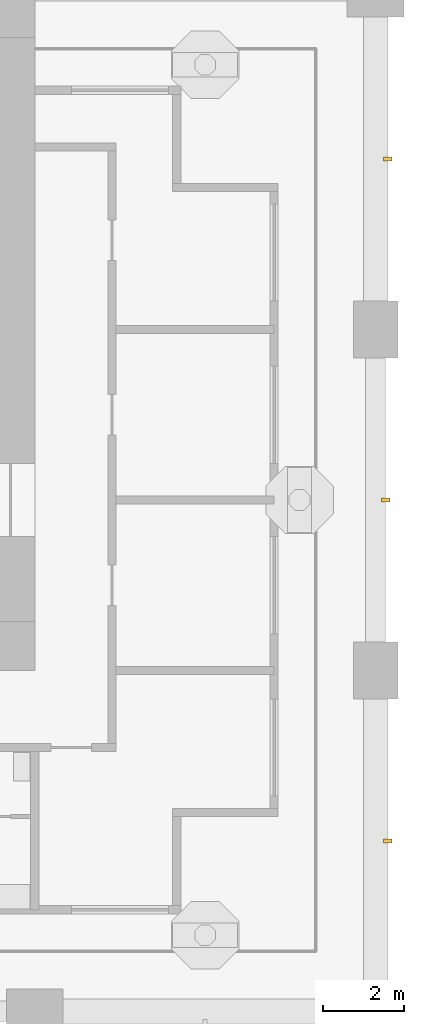
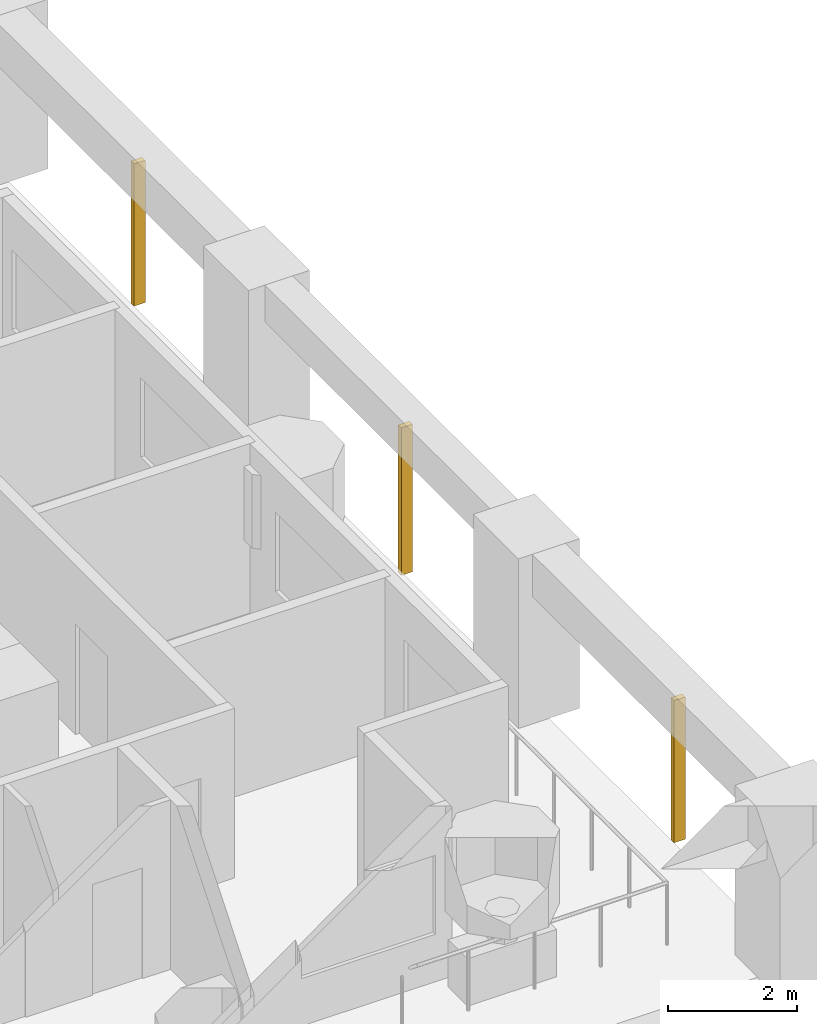
# One storey, part 17 of 20: 3 shading devices.
"""IFC4 building model written with IfcOpenShell, lengths in metres."""

import ifcopenshell
import ifcopenshell.guid

model = None  # the IFC model being written
_history = None  # IfcOwnerHistory: only IFC2X3 demands one
_inside = {}  # id of a spatial element -> (the spatial element, [elements in it])
_under = {}  # id of a project, library or spatial element -> (it, [spatial elements below it])
_declared = {}  # id of a project -> (the project, [libraries it declares])
_typed = {}  # id of a type object -> (the type object, [elements of that type])
_made_of = {}  # id of a material, layer set ... -> (it, [elements and type objects made of it])


def new_model(schema):
    """Start an empty IFC model of exactly this schema.

    Asked for "IFC4X3", IfcOpenShell would pick the latest addendum, in which some entities
    have other attributes; the version numbers below select the first issue.
    IFC2X3 requires an IfcOwnerHistory on every rooted entity: one is made here for all.
    """
    global model, _history
    if schema == "IFC4X3":
        model = ifcopenshell.file(schema_version=(4, 3, 0, 0))
    else:
        model = ifcopenshell.file(schema=schema)
    _inside.clear()
    _under.clear()
    _declared.clear()
    _typed.clear()
    _made_of.clear()
    _history = None
    if model.schema == "IFC2X3":
        org = make("IfcOrganization", Name="unknown")
        user = make(
            "IfcPersonAndOrganization",
            ThePerson=make("IfcPerson", FamilyName="unknown"),
            TheOrganization=org,
        )
        app = make(
            "IfcApplication",
            ApplicationDeveloper=org,
            Version="unknown",
            ApplicationFullName="unknown",
            ApplicationIdentifier="unknown",
        )
        _history = make(
            "IfcOwnerHistory",
            OwningUser=user,
            OwningApplication=app,
            ChangeAction="ADDED",
            CreationDate=0,
        )
    return model


def make(cls, **values):
    """One entity of the class cls with the attributes given. An attribute that is None is left unset."""
    return model.create_entity(
        cls, **{name: value for name, value in values.items() if value is not None}
    )


def rooted(cls, **values):
    """An entity with a GlobalId (a new one), such as an element, a storey or a relation."""
    return make(cls, GlobalId=ifcopenshell.guid.new(), OwnerHistory=_history, **values)


def si_unit(unit_type, name, prefix=None):
    """IfcSIUnit, for example si_unit("LENGTHUNIT", "METRE", prefix="MILLI")."""
    return make("IfcSIUnit", UnitType=unit_type, Prefix=prefix, Name=name)


def assignment(units):
    """IfcUnitAssignment: the units of a project."""
    return None if units is None else make("IfcUnitAssignment", Units=units)


def point(xyz):
    """IfcCartesianPoint."""
    return None if xyz is None else make("IfcCartesianPoint", Coordinates=xyz)


def direction(xyz):
    """IfcDirection."""
    return None if xyz is None else make("IfcDirection", DirectionRatios=xyz)


def frame(location, z_axis=None, x_axis=None):
    """IfcAxis2Placement3D, a coordinate frame: its origin and axes. An axis left out is left unset."""
    return make(
        "IfcAxis2Placement3D",
        Location=point(location),
        Axis=direction(z_axis),
        RefDirection=direction(x_axis),
    )


def frame_2d(location, x_axis=None):
    """IfcAxis2Placement2D, a coordinate frame in the plane: its origin and x axis."""
    return make(
        "IfcAxis2Placement2D", Location=point(location), RefDirection=direction(x_axis)
    )


def origin():
    """The frame at (0, 0, 0) with its axes left unset."""
    return frame((0.0, 0.0, 0.0))


def origin_2d():
    """The frame at (0, 0) in the plane with its x axis left unset."""
    return frame_2d((0.0, 0.0))


def place(relative_to, where):
    """IfcLocalPlacement: puts the frame where relative to a parent placement (None: the world)."""
    return make(
        "IfcLocalPlacement", PlacementRelTo=relative_to, RelativePlacement=where
    )


def context(
    kind, dimensions, precision=None, world=None, true_north=None, identifier=None
):
    """IfcGeometricRepresentationContext, for example the 3D "Model" context."""
    return make(
        "IfcGeometricRepresentationContext",
        ContextIdentifier=identifier,
        ContextType=kind,
        CoordinateSpaceDimension=dimensions,
        Precision=precision,
        WorldCoordinateSystem=world,
        TrueNorth=true_north,
    )


def subcontext(parent, identifier, kind, view, scale=None):
    """IfcGeometricRepresentationSubContext, for example "Body" below "Model"."""
    return make(
        "IfcGeometricRepresentationSubContext",
        ContextIdentifier=identifier,
        ContextType=kind,
        ParentContext=parent,
        TargetScale=scale,
        TargetView=view,
    )


def project(units=None, contexts=None):
    """IfcProject with its units and contexts."""
    return rooted(
        "IfcProject",
        Name="project",
        RepresentationContexts=contexts,
        UnitsInContext=assignment(units),
    )


def spatial(cls, under=None, at=None, **own):
    """A site, building, storey or space (cls), placed at a placement, below another one or the project."""
    s = rooted(cls, ObjectPlacement=at, **own)
    if under is not None:
        _under.setdefault(under.id(), (under, []))[1].append(s)
    return s


def profile(cls, at=None, kind="AREA", **sizes):
    """A parametric profile (cls). Its sizes go by their IFC names, for example OverallWidth=200.0."""
    return make(cls, ProfileType=kind, Position=at, **sizes)


def rectangle(**sizes):
    """IfcRectangleProfileDef."""
    return profile("IfcRectangleProfileDef", **sizes)


def extrude(swept, where, along, depth):
    """IfcExtrudedAreaSolid: the profile swept, set in the frame where, extruded along a direction by depth."""
    return make(
        "IfcExtrudedAreaSolid",
        SweptArea=swept,
        Position=where,
        ExtrudedDirection=direction(along),
        Depth=depth,
    )


def shape(context_of_items, identifier, shape_type, items):
    """IfcShapeRepresentation: the items that make up one representation, for example the "Body"."""
    return make(
        "IfcShapeRepresentation",
        ContextOfItems=context_of_items,
        RepresentationIdentifier=identifier,
        RepresentationType=shape_type,
        Items=items,
    )


def material(Name=None, Category=None):
    """IfcMaterial."""
    return make("IfcMaterial", Name=Name, Category=Category)


def material_profile(
    of_material, cross_section, Name=None, Category=None, Priority=None
):
    """IfcMaterialProfile: a cross section and its material."""
    return make(
        "IfcMaterialProfile",
        Name=Name,
        Material=of_material,
        Profile=cross_section,
        Priority=Priority,
        Category=Category,
    )


def profile_set(profiles, Name=None, composite=None):
    """IfcMaterialProfileSet."""
    return make(
        "IfcMaterialProfileSet",
        Name=Name,
        MaterialProfiles=profiles,
        CompositeProfile=composite,
    )


def made_of(thing, what):
    """Note that an element or type object is made of a material, layer set ...; save() writes the relation."""
    if what is not None:
        _made_of.setdefault(what.id(), (what, []))[1].append(thing)
    return thing


def type_object(cls, material=None, **own):
    """A type object (cls), such as IfcWallType, which elements share."""
    return made_of(rooted(cls, **own), material)


def element(
    cls,
    number,
    at=None,
    inside=None,
    cuts=None,
    type_object=None,
    material=None,
    context=None,
    identifier="Body",
    shape_type=None,
    held_by="IfcProductDefinitionShape",
    body=None,
    shapes=None,
    **own,
):
    """One element of the class cls, such as IfcWall. Its Tag is "e" and its number.

    at: its placement. inside: the storey or other place that contains it. cuts: it is an
    opening in that element (IfcRelVoidsElement). A single representation is given by context,
    identifier, shape_type and body (its items); several are given by shapes. held_by: the class
    of the entity that holds the representations. save() writes the other relations.
    """
    e = rooted(cls, Tag="e%d" % number, ObjectPlacement=at, **own)
    if body is not None:
        shapes = [shape(context, identifier, shape_type, body)]
    if shapes is not None:
        e.Representation = make(held_by, Representations=shapes)
    if inside is not None:
        _inside.setdefault(inside.id(), (inside, []))[1].append(e)
    if cuts is not None:
        rooted(
            "IfcRelVoidsElement", RelatingBuildingElement=cuts, RelatedOpeningElement=e
        )
    if type_object is not None:
        _typed.setdefault(type_object.id(), (type_object, []))[1].append(e)
    return made_of(e, material)


def aggregate(whole, parts):
    """IfcRelAggregates: a whole, such as a stair, and the parts it consists of."""
    return rooted("IfcRelAggregates", RelatingObject=whole, RelatedObjects=parts)


def save(model, path):
    """Write the relations noted so far, then the file.

    IfcRelAggregates (storeys below a building ...), IfcRelContainedInSpatialStructure (elements
    in a storey), IfcRelDefinesByType, IfcRelAssociatesMaterial and IfcRelDeclares: one each for
    every whole, place, type object, material and project.
    """
    for whole, parts in _under.values():
        aggregate(whole, parts)
    for where, things in _inside.values():
        rooted(
            "IfcRelContainedInSpatialStructure",
            RelatedElements=things,
            RelatingStructure=where,
        )
    for kind, things in _typed.values():
        rooted("IfcRelDefinesByType", RelatedObjects=things, RelatingType=kind)
    for what, things in _made_of.values():
        rooted("IfcRelAssociatesMaterial", RelatedObjects=things, RelatingMaterial=what)
    for by, libraries in _declared.values():
        rooted("IfcRelDeclares", RelatingContext=by, RelatedDefinitions=libraries)
    model.write(path)


model = new_model("IFC4")

# Units and contexts
model_context = context("Model", 3, precision=1e-05, world=origin(), true_north=direction((0.0, 1.0)))
body_context = subcontext(model_context, "Body", "Model", "MODEL_VIEW")
ifc_project = project(units=[si_unit("LENGTHUNIT", "METRE"), si_unit("AREAUNIT", "SQUARE_METRE"), si_unit("VOLUMEUNIT", "CUBIC_METRE"), si_unit("PLANEANGLEUNIT", "RADIAN"), si_unit("MASSUNIT", "GRAM", prefix="KILO")], contexts=[model_context])

# Site, building, storey
site_placement = place(None, origin())
site = spatial("IfcSite", under=ifc_project, at=site_placement, CompositionType="ELEMENT")
building_placement = place(site_placement, origin())
building = spatial("IfcBuilding", under=site, at=building_placement, Name="Vermilion Gate Residences", CompositionType="ELEMENT")
storey_placement = place(building_placement, frame((0.0, 0.0, 35.699951171875)))
storey = spatial("IfcBuildingStorey", under=building, at=storey_placement, Name="L07", CompositionType="ELEMENT", Elevation=35.699951171875)

# Shading devices
ifc_material = material(Name="Extruded terracotta", Category="masonry")
ifc_material_profile = material_profile(ifc_material, rectangle(XDim=0.199951171875, YDim=0.10009765625, at=origin_2d()), Name="BAGUETTE 100 X 200")
ifc_profile_set = profile_set([ifc_material_profile], Name="Extruded terracotta")
shading_device_type = type_object("IfcShadingDeviceType", Name="TERRACOTTA BAGUETTE 100 X 200", PredefinedType="JALOUSIE", material=ifc_profile_set)
shading_device_1_placement = place(storey_placement, frame((67.5, 4.199951171875, -0.280029296875), z_axis=(0.0, 0.0, 1.0), x_axis=(-1.0, 0.0, 0.0)))
element("IfcShadingDevice", 1, at=shading_device_1_placement, inside=storey, type_object=shading_device_type, Name="BAGUETTE", PredefinedType="JALOUSIE", context=body_context, shape_type="SweptSolid", body=[
    extrude(rectangle(XDim=0.199951171875, YDim=0.10009765625, at=origin_2d()), origin(), (0.0, 0.0, 1.0), 2.7001953125),
])
shading_device_2_placement = place(storey_placement, frame((67.449951171875, 12.60009765625, -0.280029296875), z_axis=(0.0, 0.0, 1.0), x_axis=(-1.0, 0.0, 0.0)))
element("IfcShadingDevice", 2, at=shading_device_2_placement, inside=storey, type_object=shading_device_type, Name="BAGUETTE", PredefinedType="JALOUSIE", context=body_context, shape_type="SweptSolid", body=[
    extrude(rectangle(XDim=0.199951171875, YDim=0.10009765625, at=origin_2d()), origin(), (0.0, 0.0, 1.0), 2.800048828125),
])
shading_device_3_placement = place(storey_placement, frame((67.5, 21.0, -0.280029296875), z_axis=(0.0, 0.0, 1.0), x_axis=(-1.0, 0.0, 0.0)))
element("IfcShadingDevice", 3, at=shading_device_3_placement, inside=storey, type_object=shading_device_type, Name="BAGUETTE", PredefinedType="JALOUSIE", context=body_context, shape_type="SweptSolid", body=[
    extrude(rectangle(XDim=0.199951171875, YDim=0.10009765625, at=origin_2d()), origin(), (0.0, 0.0, 1.0), 2.7001953125),
])

save(model, "model.ifc")
